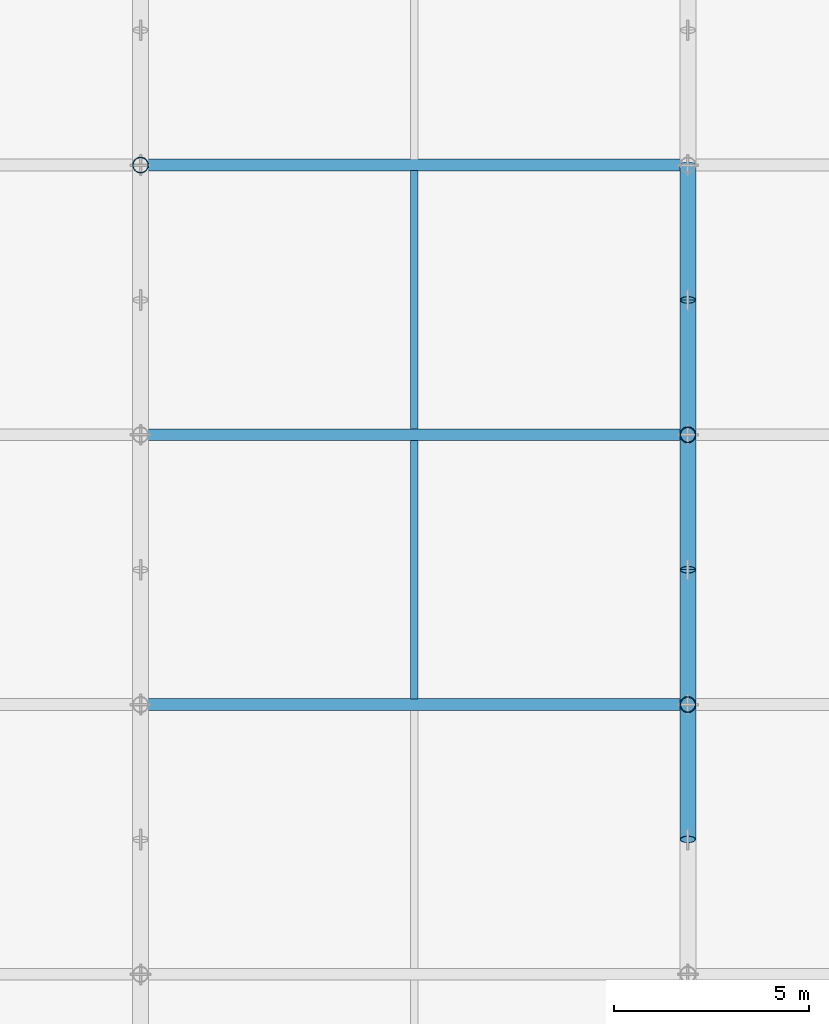
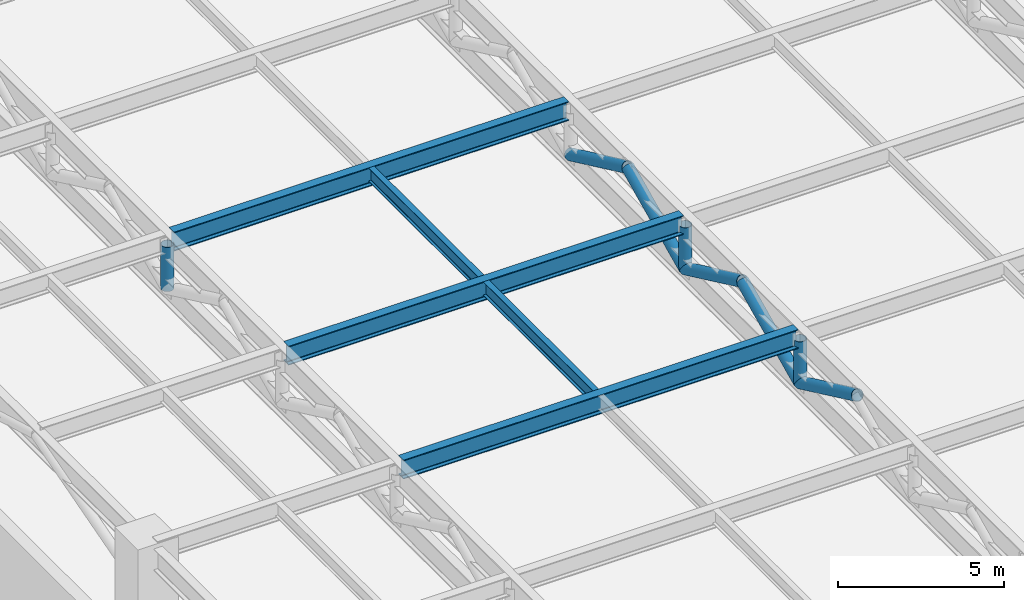
# One storey, part 10 of 40: 8 members, 5 beams.
"""IFC4 building model written with IfcOpenShell, lengths in metres."""

from ifc_helpers import new_model, si_unit, direction, frame, origin, origin_2d, place, context, subcontext, project, spatial, hollow_circle, i_section, extrude, material, material_profile, profile_set, type_object, element, save


model = new_model("IFC4")

# Units and contexts
model_context = context("Model", 3, precision=1e-05, world=origin(), true_north=direction((0.0, 1.0)))
body_context = subcontext(model_context, "Body", "Model", "MODEL_VIEW")
ifc_project = project(units=[si_unit("LENGTHUNIT", "METRE"), si_unit("AREAUNIT", "SQUARE_METRE"), si_unit("VOLUMEUNIT", "CUBIC_METRE"), si_unit("PLANEANGLEUNIT", "RADIAN"), si_unit("MASSUNIT", "GRAM", prefix="KILO")], contexts=[model_context])

# Site, building, storey
site_placement = place(None, origin())
site = spatial("IfcSite", under=ifc_project, at=site_placement, CompositionType="ELEMENT")
building_placement = place(site_placement, origin())
building = spatial("IfcBuilding", under=site, at=building_placement, Name="Narakoshi Arena Tower", CompositionType="ELEMENT")
storey_placement = place(building_placement, frame((0.0, 0.0, 21.60009765625)))
storey = spatial("IfcBuildingStorey", under=building, at=storey_placement, Name="L05", CompositionType="ELEMENT", Elevation=21.60009765625)

# Beams
ifc_material_1 = material(Name="Structural steel S355J2", Category="steel")
ifc_material_profile_1 = material_profile(ifc_material_1, i_section(OverallWidth=0.300048828125, OverallDepth=0.699951171875, WebThickness=0.01708984375, FlangeThickness=0.031982421875, FilletRadius=0.027099609375, at=origin_2d()), Name="HE700B")
ifc_profile_set_1 = profile_set([ifc_material_profile_1], Name="Structural steel S355J2")
beam_type_1 = type_object("IfcBeamType", Name="BM-PRI-700", PredefinedType="BEAM", material=ifc_profile_set_1)
for number, where, z_axis, x_axis, name in (
    (1, (12.14501953125, 34.199951171875, 4.429931640625), (1.0, 0.0, 0.0), (0.0, 1.0, 0.0), "L05 Arena Roof Transverse Girder 2-12"),
    (2, (12.14501953125, 41.10009765625, 4.429931640625), (1.0, 0.0, 0.0), (0.0, 1.0, 0.0), "L05 Arena Roof Transverse Girder 3-12"),
    (3, (12.14501953125, 48.0, 4.429931640625), (1.0, 0.0, 0.0), (0.0, 1.0, 0.0), "L05 Arena Roof Transverse Girder 4-12"),
):
    element("IfcBeam", number, at=place(storey_placement, frame(where, z_axis=z_axis, x_axis=x_axis)), inside=storey, type_object=beam_type_1, Name=name, PredefinedType="BEAM", context=body_context, shape_type="SweptSolid", body=[
        extrude(i_section(OverallWidth=0.300048828125, OverallDepth=0.699951171875, WebThickness=0.01708984375, FlangeThickness=0.031982421875, FilletRadius=0.027099609375, at=origin_2d()), origin(), (0.0, 0.0, 1.0), 13.7099609375),
    ])
ifc_material_profile_2 = material_profile(ifc_material_1, i_section(OverallWidth=0.199951171875, OverallDepth=0.5, WebThickness=0.01025390625, FlangeThickness=0.01611328125, FilletRadius=0.02099609375, at=origin_2d()), Name="IPE500")
ifc_profile_set_2 = profile_set([ifc_material_profile_2], Name="Structural steel S355J2")
beam_type_2 = type_object("IfcBeamType", Name="BM-SEC-500", PredefinedType="JOIST", material=ifc_profile_set_2)
beam_1_placement = place(storey_placement, frame((19.0, 34.344970703125, 4.52978515625), z_axis=(0.0, 1.0, 0.0), x_axis=(-1.0, 0.0, 0.0)))
element("IfcBeam", 4, at=beam_1_placement, inside=storey, type_object=beam_type_2, Name="L05 Arena Roof Secondary Joist 12-3", PredefinedType="JOIST", context=body_context, shape_type="SweptSolid", body=[
    extrude(i_section(OverallWidth=0.199951171875, OverallDepth=0.5, WebThickness=0.01025390625, FlangeThickness=0.01611328125, FilletRadius=0.02099609375, at=origin_2d()), origin(), (0.0, 0.0, 1.0), 6.610107421875),
])
beam_2_placement = place(storey_placement, frame((19.0, 41.2451171875, 4.52978515625), z_axis=(0.0, 1.0, 0.0), x_axis=(-1.0, 0.0, 0.0)))
element("IfcBeam", 5, at=beam_2_placement, inside=storey, type_object=beam_type_2, Name="L05 Arena Roof Secondary Joist 12-4", PredefinedType="JOIST", context=body_context, shape_type="SweptSolid", body=[
    extrude(i_section(OverallWidth=0.199951171875, OverallDepth=0.5, WebThickness=0.01025390625, FlangeThickness=0.01611328125, FilletRadius=0.02099609375, at=origin_2d()), origin(), (0.0, 0.0, 1.0), 6.60986328125),
])

# Members
ifc_material_2 = material(Name="Structural steel S460ML", Category="steel")
ifc_material_profile_3 = material_profile(ifc_material_2, hollow_circle(Radius=0.203125, WallThickness=0.01611328125, at=origin_2d()), Name="CHS406x16")
ifc_profile_set_3 = profile_set([ifc_material_profile_3], Name="Structural steel S460ML")
member_type = type_object("IfcMemberType", Name="MEM-ARN-406", PredefinedType="CHORD", material=ifc_profile_set_3)
member_1_placement = place(storey_placement, frame((12.0, 48.0, 2.699951171875), z_axis=(0.0, 0.0, 1.0), x_axis=(1.0, 0.0, 0.0)))
element("IfcMember", 6, at=member_1_placement, inside=storey, type_object=member_type, Name="L05 Arena Roof Truss 1 Web Post 5", PredefinedType="CHORD", context=body_context, shape_type="SweptSolid", body=[
    extrude(hollow_circle(Radius=0.203125, WallThickness=0.01611328125, at=origin_2d()), origin(), (0.0, 0.0, 1.0), 1.625),
])
member_2_placement = place(storey_placement, frame((26.0, 30.75, 4.324951171875), z_axis=(0.0, 0.904667753866, -0.426117654075), x_axis=(-1.0, 0.0, 0.0)))
element("IfcMember", 7, at=member_2_placement, inside=storey, type_object=member_type, Name="L05 Arena Roof Truss 2 Web Diagonal 2B", PredefinedType="CHORD", context=body_context, shape_type="SweptSolid", body=[
    extrude(hollow_circle(Radius=0.203125, WallThickness=0.01611328125, at=origin_2d()), origin(), (0.0, 0.0, 1.0), 3.8134765625),
])
member_3_placement = place(storey_placement, frame((26.0, 34.199951171875, 2.699951171875), z_axis=(0.0, 0.0, 1.0), x_axis=(1.0, 0.0, 0.0)))
element("IfcMember", 8, at=member_3_placement, inside=storey, type_object=member_type, Name="L05 Arena Roof Truss 2 Web Post 3", PredefinedType="CHORD", context=body_context, shape_type="SweptSolid", body=[
    extrude(hollow_circle(Radius=0.203125, WallThickness=0.01611328125, at=origin_2d()), origin(), (0.0, 0.0, 1.0), 1.625),
])
member_4_placement = place(storey_placement, frame((26.0, 34.199951171875, 2.699951171875), z_axis=(0.0, 0.904667753866, 0.426117654075), x_axis=(-1.0, 0.0, 0.0)))
element("IfcMember", 9, at=member_4_placement, inside=storey, type_object=member_type, Name="L05 Arena Roof Truss 2 Web Diagonal 3A", PredefinedType="CHORD", context=body_context, shape_type="SweptSolid", body=[
    extrude(hollow_circle(Radius=0.203125, WallThickness=0.01611328125, at=origin_2d()), origin(), (0.0, 0.0, 1.0), 3.8134765625),
])
member_5_placement = place(storey_placement, frame((26.0, 37.64990234375, 4.324951171875), z_axis=(0.0, 0.904679377383, -0.426092975931), x_axis=(-1.0, 0.0, 0.0)))
element("IfcMember", 10, at=member_5_placement, inside=storey, type_object=member_type, Name="L05 Arena Roof Truss 2 Web Diagonal 3B", PredefinedType="CHORD", context=body_context, shape_type="SweptSolid", body=[
    extrude(hollow_circle(Radius=0.203125, WallThickness=0.01611328125, at=origin_2d()), origin(), (0.0, 0.0, 1.0), 3.813720703125),
])
member_6_placement = place(storey_placement, frame((26.0, 41.10009765625, 2.699951171875), z_axis=(0.0, 0.0, 1.0), x_axis=(1.0, 0.0, 0.0)))
element("IfcMember", 11, at=member_6_placement, inside=storey, type_object=member_type, Name="L05 Arena Roof Truss 2 Web Post 4", PredefinedType="CHORD", context=body_context, shape_type="SweptSolid", body=[
    extrude(hollow_circle(Radius=0.203125, WallThickness=0.01611328125, at=origin_2d()), origin(), (0.0, 0.0, 1.0), 1.625),
])
for number, where, z_axis, x_axis, name in (
    (12, (26.0, 41.10009765625, 2.699951171875), (0.0, 0.904667753866, 0.426117654075), (-1.0, 0.0, 0.0), "L05 Arena Roof Truss 2 Web Diagonal 4A"),
    (13, (26.0, 44.550048828125, 4.324951171875), (0.0, 0.904667753866, -0.426117654075), (-1.0, 0.0, 0.0), "L05 Arena Roof Truss 2 Web Diagonal 4B"),
):
    element("IfcMember", number, at=place(storey_placement, frame(where, z_axis=z_axis, x_axis=x_axis)), inside=storey, type_object=member_type, Name=name, PredefinedType="CHORD", context=body_context, shape_type="SweptSolid", body=[
        extrude(hollow_circle(Radius=0.203125, WallThickness=0.01611328125, at=origin_2d()), origin(), (0.0, 0.0, 1.0), 3.8134765625),
    ])

save(model, "model.ifc")
